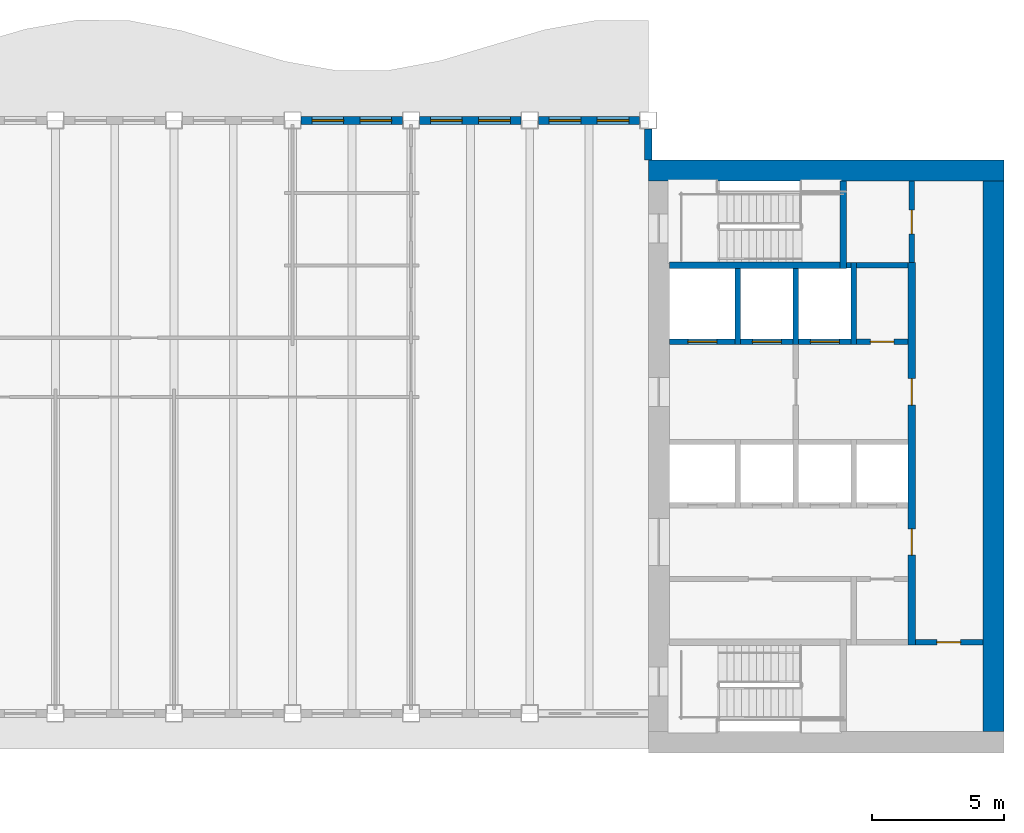
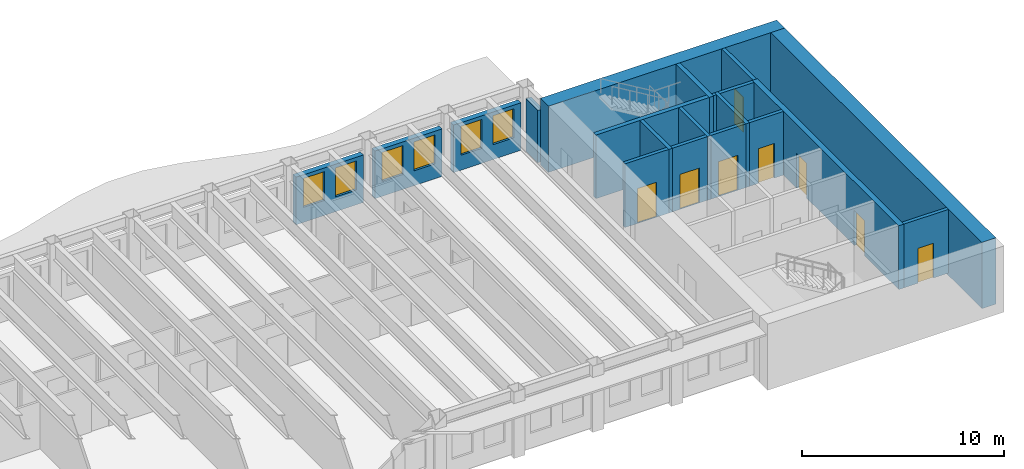
# One storey, part 6 of 12: 20 walls, 8 doors, 6 windows, 14 openings.
"""IFC4 building model written with IfcOpenShell, lengths in metres."""

from ifc_helpers import new_model, si_unit, direction, frame, frame_2d, origin, place, context, subcontext, project, spatial, rectangle, extrude, material, layer, layer_set, type_object, element, fill, save


model = new_model("IFC4")

# Units and contexts
model_context = context("Model", 3, precision=1e-05, world=origin(), true_north=direction((0.0, 1.0)))
body_context = subcontext(model_context, "Body", "Model", "MODEL_VIEW")
ifc_project = project(units=[si_unit("LENGTHUNIT", "METRE"), si_unit("AREAUNIT", "SQUARE_METRE"), si_unit("VOLUMEUNIT", "CUBIC_METRE"), si_unit("PLANEANGLEUNIT", "RADIAN"), si_unit("MASSUNIT", "GRAM", prefix="KILO")], contexts=[model_context])

# Site, building, storey
site_placement = place(None, origin())
site = spatial("IfcSite", under=ifc_project, at=site_placement, CompositionType="ELEMENT")
building_placement = place(site_placement, origin())
building = spatial("IfcBuilding", under=site, at=building_placement, Name="Sennacour Bend Tower", CompositionType="ELEMENT")
storey_placement = place(building_placement, frame((0.0, 0.0, 285.0)))
storey = spatial("IfcBuildingStorey", under=building, at=storey_placement, Name="L66", CompositionType="ELEMENT", Elevation=285.0)

# Walls
ifc_material_1 = material(Name="Concrete C50/60", Category="concrete")
ifc_layer_1 = layer(ifc_material_1, 0.800048828125, Name="Concrete C50/60", Category="concrete")
ifc_layer_set_1 = layer_set([ifc_layer_1], Name="Concrete C50/60")
wall_type_1 = type_object("IfcWallType", Name="Core wall 800 C50/60", PredefinedType="SHEAR", material=ifc_layer_set_1)
wall_1_placement = place(storey_placement, frame((54.0, 22.10009765625, -0.14990234375), z_axis=(0.0, 0.0, 1.0), x_axis=(1.0, 0.0, 0.0)))
element("IfcWall", 1, at=wall_1_placement, inside=storey, type_object=wall_type_1, Name="Core A wall L66 N", PredefinedType="SHEAR", context=body_context, shape_type="SweptSolid", body=[
    extrude(rectangle(XDim=13.5, YDim=0.800048828125, at=frame_2d((6.75, 0.0))), origin(), (0.0, 0.0, 1.0), 4.0),
])
wall_2_placement = place(storey_placement, frame((67.10009765625, 0.800048828125, -0.14990234375), z_axis=(0.0, 0.0, 1.0), x_axis=(0.0, 1.0, 0.0)))
element("IfcWall", 2, at=wall_2_placement, inside=storey, type_object=wall_type_1, Name="Core A wall L66 E", PredefinedType="SHEAR", context=body_context, shape_type="SweptSolid", body=[
    extrude(rectangle(XDim=20.89990234375, YDim=0.800048828125, at=frame_2d((10.449951171875, 0.0))), origin(), (0.0, 0.0, 1.0), 4.0),
])

# Wall, opening, door
ifc_material_2 = material(Name="Fire-rated plasterboard partition on steel studs", Category="steel")
ifc_layer_2 = layer(ifc_material_2, 0.199951171875, Name="Fire-rated plasterboard partition on steel studs", Category="steel")
ifc_layer_set_2 = layer_set([ifc_layer_2], Name="Fire-rated plasterboard partition on steel studs")
wall_type_2 = type_object("IfcWallType", Name="Rated partition 200", PredefinedType="PARTITIONING", material=ifc_layer_set_2)
wall_3_placement = place(storey_placement, frame((64.0, 18.60009765625, 0.0), z_axis=(0.0, 0.0, 1.0), x_axis=(0.0, 1.0, 0.0)))
wall_3 = element("IfcWall", 3, at=wall_3_placement, inside=storey, type_object=wall_type_2, Name="P-L66-W028", PredefinedType="PARTITIONING", context=body_context, shape_type="SweptSolid", body=[
    extrude(rectangle(XDim=3.099853515625, YDim=0.199951171875, at=frame_2d((1.5498046875, 0.0))), origin(), (0.0, 0.0, 1.0), 3.85009765625),
])
opening_1_placement = place(wall_3_placement, frame((1.099853515625, 0.0, 0.0)))
opening_1 = element("IfcOpeningElement", 4, at=opening_1_placement, cuts=wall_3, Name="Opening SV", PredefinedType="OPENING", context=body_context, shape_type="SweptSolid", body=[
    extrude(rectangle(XDim=0.89990234375, YDim=2.10009765625, at=frame_2d((0.449951171875, 1.050048828125))), frame((0.0, 0.10986328125, 0.0), z_axis=(0.0, -1.0, 0.0), x_axis=(1.0, 0.0, 0.0)), (0.0, 0.0, 1.0), 0.219970703125),
])
ifc_material_3 = material(Name="Painted steel", Category="steel")
door_type_1 = type_object("IfcDoorType", Name="DR-SERVICE-900", OperationType="NOTDEFINED", PredefinedType="DOOR", material=ifc_material_3)
door_1_placement = place(opening_1_placement, origin())
door_1 = element("IfcDoor", 5, at=door_1_placement, inside=storey, type_object=door_type_1, Name="Door", OperationType="SINGLE_SWING_LEFT", OverallHeight=2.10009765625, OverallWidth=0.89990234375, PredefinedType="DOOR", context=body_context, shape_type="SweptSolid", body=[
    extrude(rectangle(XDim=0.89990234375, YDim=2.10009765625, at=frame_2d((0.449951171875, 1.050048828125))), frame((0.0, 0.02490234375, 0.0), z_axis=(0.0, -1.0, 0.0), x_axis=(1.0, 0.0, 0.0)), (0.0, 0.0, 1.0), 0.050048828125),
])
fill(opening_1, door_1)

wall_4_placement = place(storey_placement, frame((64.14990234375, 4.199951171875, 0.0), z_axis=(0.0, 0.0, 1.0), x_axis=(1.0, 0.0, 0.0)))
wall_4 = element("IfcWall", 6, at=wall_4_placement, inside=storey, type_object=wall_type_2, Name="P-L66-W036c", PredefinedType="PARTITIONING", context=body_context, shape_type="SweptSolid", body=[
    extrude(rectangle(XDim=2.550048828125, YDim=0.199951171875, at=frame_2d((1.27490234375, 0.0))), origin(), (0.0, 0.0, 1.0), 3.85009765625),
])
opening_2_placement = place(wall_4_placement, frame((0.800048828125, 0.0, 0.0)))
opening_2 = element("IfcOpeningElement", 7, at=opening_2_placement, cuts=wall_4, Name="Opening SV", PredefinedType="OPENING", context=body_context, shape_type="SweptSolid", body=[
    extrude(rectangle(XDim=0.89990234375, YDim=2.10009765625, at=frame_2d((0.449951171875, 1.050048828125))), frame((0.0, 0.10986328125, 0.0), z_axis=(0.0, -1.0, 0.0), x_axis=(1.0, 0.0, 0.0)), (0.0, 0.0, 1.0), 0.219970703125),
])
door_2_placement = place(opening_2_placement, origin())
door_2 = element("IfcDoor", 8, at=door_2_placement, inside=storey, type_object=door_type_1, Name="Door", OperationType="SINGLE_SWING_LEFT", OverallHeight=2.10009765625, OverallWidth=0.89990234375, PredefinedType="DOOR", context=body_context, shape_type="SweptSolid", body=[
    extrude(rectangle(XDim=0.89990234375, YDim=2.10009765625, at=frame_2d((0.449951171875, 1.050048828125))), frame((0.0, 0.02490234375, 0.0), z_axis=(0.0, -1.0, 0.0), x_axis=(1.0, 0.0, 0.0)), (0.0, 0.0, 1.0), 0.050048828125),
])
fill(opening_2, door_2)

wall_5_placement = place(storey_placement, frame((61.89990234375, 15.60009765625, 0.0), z_axis=(0.0, 0.0, 1.0), x_axis=(1.0, 0.0, 0.0)))
wall_5 = element("IfcWall", 9, at=wall_5_placement, inside=storey, type_object=wall_type_2, Name="P-L66-W042", PredefinedType="PARTITIONING", context=body_context, shape_type="SweptSolid", body=[
    extrude(rectangle(XDim=1.9501953125, YDim=0.199951171875, at=frame_2d((0.97509765625, 0.0))), origin(), (0.0, 0.0, 1.0), 3.85009765625),
])
opening_3_placement = place(wall_5_placement, frame((0.525146484375, 0.0, 0.0)))
opening_3 = element("IfcOpeningElement", 10, at=opening_3_placement, cuts=wall_5, Name="Opening SV", PredefinedType="OPENING", context=body_context, shape_type="SweptSolid", body=[
    extrude(rectangle(XDim=0.89990234375, YDim=2.10009765625, at=frame_2d((0.449951171875, 1.050048828125))), frame((0.0, 0.10986328125, 0.0), z_axis=(0.0, -1.0, 0.0), x_axis=(1.0, 0.0, 0.0)), (0.0, 0.0, 1.0), 0.219970703125),
])
door_3_placement = place(opening_3_placement, origin())
door_3 = element("IfcDoor", 11, at=door_3_placement, inside=storey, type_object=door_type_1, Name="Door", OperationType="SINGLE_SWING_LEFT", OverallHeight=2.10009765625, OverallWidth=0.89990234375, PredefinedType="DOOR", context=body_context, shape_type="SweptSolid", body=[
    extrude(rectangle(XDim=0.89990234375, YDim=2.10009765625, at=frame_2d((0.449951171875, 1.050048828125))), frame((0.0, 0.02490234375, 0.0), z_axis=(0.0, -1.0, 0.0), x_axis=(1.0, 0.0, 0.0)), (0.0, 0.0, 1.0), 0.050048828125),
])
fill(opening_3, door_3)

# Walls
wall_6_placement = place(storey_placement, frame((61.89990234375, 18.5, 0.0), z_axis=(0.0, 0.0, 1.0), x_axis=(1.0, 0.0, 0.0)))
element("IfcWall", 12, at=wall_6_placement, inside=storey, type_object=wall_type_2, Name="P-L66-W047", PredefinedType="PARTITIONING", context=body_context, shape_type="SweptSolid", body=[
    extrude(rectangle(XDim=1.9501953125, YDim=0.199951171875, at=frame_2d((0.97509765625, 0.0))), origin(), (0.0, 0.0, 1.0), 3.85009765625),
])
ifc_material_4 = material(Name="Warm limestone cladding", Category="masonry")
ifc_layer_3 = layer(ifc_material_4, 0.050048828125, Name="Warm limestone cladding", Category="masonry")
ifc_material_5 = material(Name="Precast concrete C40/50", Category="concrete")
ifc_layer_4 = layer(ifc_material_5, 0.25, Name="Precast concrete C40/50", Category="concrete")
ifc_layer_set_3 = layer_set([ifc_layer_3, ifc_layer_4], Name="Precast concrete C40/50 with limestone cladding")
wall_type_3 = type_object("IfcWallType", Name="STONE-CLAD PRECAST SPANDREL 300", PredefinedType="STANDARD", material=ifc_layer_set_3)
wall_7_placement = place(storey_placement, frame((54.0, 22.5, 0.0), z_axis=(0.0, 0.0, 1.0), x_axis=(0.0, 1.0, 0.0)))
element("IfcWall", 13, at=wall_7_placement, inside=storey, type_object=wall_type_3, Name="Stone spandrel and pier wall L66 06.00", PredefinedType="STANDARD", context=body_context, shape_type="SweptSolid", body=[
    extrude(rectangle(XDim=1.175048828125, YDim=0.300048828125, at=frame_2d((0.58740234375, 0.0))), origin(), (0.0, 0.0, 1.0), 3.162109375),
])

# Wall, openings, windows
wall_8_placement = place(storey_placement, frame((53.675048828125, 24.0, 0.0), z_axis=(0.0, 0.0, 1.0), x_axis=(-1.0, 0.0, 0.0)))
wall_8 = element("IfcWall", 14, at=wall_8_placement, inside=storey, type_object=wall_type_3, Name="Stone spandrel and pier wall L66 07.00", PredefinedType="STANDARD", context=body_context, shape_type="SweptSolid", body=[
    extrude(rectangle(XDim=3.85009765625, YDim=0.300048828125, at=frame_2d((1.925048828125, 0.0))), origin(), (0.0, 0.0, 1.0), 2.8701171875),
])
opening_4_placement = place(wall_8_placement, frame((0.41259765625, 0.0, 0.89990234375)))
opening_4 = element("IfcOpeningElement", 15, at=opening_4_placement, cuts=wall_8, Name="Opening W16", PredefinedType="OPENING", context=body_context, shape_type="SweptSolid", body=[
    extrude(rectangle(XDim=1.199951171875, YDim=1.75, at=frame_2d((0.60009765625, 0.875))), frame((0.0, 0.16015625, 0.0), z_axis=(0.0, -1.0, 0.0), x_axis=(1.0, 0.0, 0.0)), (0.0, 0.0, 1.0), 0.320068359375),
])
opening_5_placement = place(wall_8_placement, frame((2.237548828125, 0.0, 0.89990234375)))
opening_5 = element("IfcOpeningElement", 16, at=opening_5_placement, cuts=wall_8, Name="Opening W16", PredefinedType="OPENING", context=body_context, shape_type="SweptSolid", body=[
    extrude(rectangle(XDim=1.199951171875, YDim=1.75, at=frame_2d((0.60009765625, 0.875))), frame((0.0, 0.16015625, 0.0), z_axis=(0.0, -1.0, 0.0), x_axis=(1.0, 0.0, 0.0)), (0.0, 0.0, 1.0), 0.320068359375),
])
ifc_material_6 = material(Name="Clear low-emissivity glass", Category="glass")
window_type = type_object("IfcWindowType", Name="WIN-RIBBON-1200x1750", PartitioningType="SINGLE_PANEL", PredefinedType="WINDOW", material=ifc_material_6)
window_1_placement = place(opening_4_placement, origin())
window_1 = element("IfcWindow", 17, at=window_1_placement, inside=storey, type_object=window_type, Name="Ribbon window L66 07.00.0", OverallHeight=1.75, OverallWidth=1.199951171875, PartitioningType="SINGLE_PANEL", PredefinedType="WINDOW", context=body_context, shape_type="SweptSolid", body=[
    extrude(rectangle(XDim=1.199951171875, YDim=1.75, at=frame_2d((0.60009765625, 0.875))), frame((0.0, 0.030029296875, 0.0), z_axis=(0.0, -1.0, 0.0), x_axis=(1.0, 0.0, 0.0)), (0.0, 0.0, 1.0), 0.06005859375),
])
fill(opening_4, window_1)
window_2_placement = place(opening_5_placement, origin())
window_2 = element("IfcWindow", 18, at=window_2_placement, inside=storey, type_object=window_type, Name="Ribbon window L66 07.00.1", OverallHeight=1.75, OverallWidth=1.199951171875, PartitioningType="SINGLE_PANEL", PredefinedType="WINDOW", context=body_context, shape_type="SweptSolid", body=[
    extrude(rectangle(XDim=1.199951171875, YDim=1.75, at=frame_2d((0.60009765625, 0.875))), frame((0.0, 0.030029296875, 0.0), z_axis=(0.0, -1.0, 0.0), x_axis=(1.0, 0.0, 0.0)), (0.0, 0.0, 1.0), 0.06005859375),
])
fill(opening_5, window_2)

wall_9_placement = place(storey_placement, frame((49.175048828125, 24.0, 0.0), z_axis=(0.0, 0.0, 1.0), x_axis=(-1.0, 0.0, 0.0)))
wall_9 = element("IfcWall", 19, at=wall_9_placement, inside=storey, type_object=wall_type_3, Name="Stone spandrel and pier wall L66 07.01", PredefinedType="STANDARD", context=body_context, shape_type="SweptSolid", body=[
    extrude(rectangle(XDim=3.85009765625, YDim=0.300048828125, at=frame_2d((1.925048828125, 0.0))), origin(), (0.0, 0.0, 1.0), 2.8701171875),
])
opening_6_placement = place(wall_9_placement, frame((0.41259765625, 0.0, 0.89990234375)))
opening_6 = element("IfcOpeningElement", 20, at=opening_6_placement, cuts=wall_9, Name="Opening W16", PredefinedType="OPENING", context=body_context, shape_type="SweptSolid", body=[
    extrude(rectangle(XDim=1.199951171875, YDim=1.75, at=frame_2d((0.60009765625, 0.875))), frame((0.0, 0.16015625, 0.0), z_axis=(0.0, -1.0, 0.0), x_axis=(1.0, 0.0, 0.0)), (0.0, 0.0, 1.0), 0.320068359375),
])
opening_7_placement = place(wall_9_placement, frame((2.237548828125, 0.0, 0.89990234375)))
opening_7 = element("IfcOpeningElement", 21, at=opening_7_placement, cuts=wall_9, Name="Opening W16", PredefinedType="OPENING", context=body_context, shape_type="SweptSolid", body=[
    extrude(rectangle(XDim=1.199951171875, YDim=1.75, at=frame_2d((0.60009765625, 0.875))), frame((0.0, 0.16015625, 0.0), z_axis=(0.0, -1.0, 0.0), x_axis=(1.0, 0.0, 0.0)), (0.0, 0.0, 1.0), 0.320068359375),
])
window_3_placement = place(opening_6_placement, origin())
window_3 = element("IfcWindow", 22, at=window_3_placement, inside=storey, type_object=window_type, Name="Ribbon window L66 07.01.0", OverallHeight=1.75, OverallWidth=1.199951171875, PartitioningType="SINGLE_PANEL", PredefinedType="WINDOW", context=body_context, shape_type="SweptSolid", body=[
    extrude(rectangle(XDim=1.199951171875, YDim=1.75, at=frame_2d((0.60009765625, 0.875))), frame((0.0, 0.030029296875, 0.0), z_axis=(0.0, -1.0, 0.0), x_axis=(1.0, 0.0, 0.0)), (0.0, 0.0, 1.0), 0.06005859375),
])
fill(opening_6, window_3)
window_4_placement = place(opening_7_placement, origin())
window_4 = element("IfcWindow", 23, at=window_4_placement, inside=storey, type_object=window_type, Name="Ribbon window L66 07.01.1", OverallHeight=1.75, OverallWidth=1.199951171875, PartitioningType="SINGLE_PANEL", PredefinedType="WINDOW", context=body_context, shape_type="SweptSolid", body=[
    extrude(rectangle(XDim=1.199951171875, YDim=1.75, at=frame_2d((0.60009765625, 0.875))), frame((0.0, 0.030029296875, 0.0), z_axis=(0.0, -1.0, 0.0), x_axis=(1.0, 0.0, 0.0)), (0.0, 0.0, 1.0), 0.06005859375),
])
fill(opening_7, window_4)

wall_10_placement = place(storey_placement, frame((44.675048828125, 24.0, 0.0), z_axis=(0.0, 0.0, 1.0), x_axis=(-1.0, 0.0, 0.0)))
wall_10 = element("IfcWall", 24, at=wall_10_placement, inside=storey, type_object=wall_type_3, Name="Stone spandrel and pier wall L66 07.02", PredefinedType="STANDARD", context=body_context, shape_type="SweptSolid", body=[
    extrude(rectangle(XDim=3.85009765625, YDim=0.300048828125, at=frame_2d((1.925048828125, 0.0))), origin(), (0.0, 0.0, 1.0), 2.8701171875),
])
opening_8_placement = place(wall_10_placement, frame((0.41259765625, 0.0, 0.89990234375)))
opening_8 = element("IfcOpeningElement", 25, at=opening_8_placement, cuts=wall_10, Name="Opening W16", PredefinedType="OPENING", context=body_context, shape_type="SweptSolid", body=[
    extrude(rectangle(XDim=1.199951171875, YDim=1.75, at=frame_2d((0.60009765625, 0.875))), frame((0.0, 0.16015625, 0.0), z_axis=(0.0, -1.0, 0.0), x_axis=(1.0, 0.0, 0.0)), (0.0, 0.0, 1.0), 0.320068359375),
])
opening_9_placement = place(wall_10_placement, frame((2.237548828125, 0.0, 0.89990234375)))
opening_9 = element("IfcOpeningElement", 26, at=opening_9_placement, cuts=wall_10, Name="Opening W16", PredefinedType="OPENING", context=body_context, shape_type="SweptSolid", body=[
    extrude(rectangle(XDim=1.199951171875, YDim=1.75, at=frame_2d((0.60009765625, 0.875))), frame((0.0, 0.16015625, 0.0), z_axis=(0.0, -1.0, 0.0), x_axis=(1.0, 0.0, 0.0)), (0.0, 0.0, 1.0), 0.320068359375),
])
window_5_placement = place(opening_8_placement, origin())
window_5 = element("IfcWindow", 27, at=window_5_placement, inside=storey, type_object=window_type, Name="Ribbon window L66 07.02.0", OverallHeight=1.75, OverallWidth=1.199951171875, PartitioningType="SINGLE_PANEL", PredefinedType="WINDOW", context=body_context, shape_type="SweptSolid", body=[
    extrude(rectangle(XDim=1.199951171875, YDim=1.75, at=frame_2d((0.60009765625, 0.875))), frame((0.0, 0.030029296875, 0.0), z_axis=(0.0, -1.0, 0.0), x_axis=(1.0, 0.0, 0.0)), (0.0, 0.0, 1.0), 0.06005859375),
])
fill(opening_8, window_5)
window_6_placement = place(opening_9_placement, origin())
window_6 = element("IfcWindow", 28, at=window_6_placement, inside=storey, type_object=window_type, Name="Ribbon window L66 07.02.1", OverallHeight=1.75, OverallWidth=1.199951171875, PartitioningType="SINGLE_PANEL", PredefinedType="WINDOW", context=body_context, shape_type="SweptSolid", body=[
    extrude(rectangle(XDim=1.199951171875, YDim=1.75, at=frame_2d((0.60009765625, 0.875))), frame((0.0, 0.030029296875, 0.0), z_axis=(0.0, -1.0, 0.0), x_axis=(1.0, 0.0, 0.0)), (0.0, 0.0, 1.0), 0.06005859375),
])
fill(opening_9, window_6)

# Walls
ifc_layer_5 = layer(ifc_material_1, 0.199951171875, Name="Concrete C50/60", Category="concrete")
ifc_layer_set_4 = layer_set([ifc_layer_5], Name="Concrete C50/60")
wall_type_4 = type_object("IfcWallType", Name="Shaft wall 200", PredefinedType="SOLIDWALL", material=ifc_layer_set_4)
for number, where, z_axis, x_axis, name in (
    (29, (57.39990234375, 15.5, 0.0), (0.0, 0.0, 1.0), (0.0, 1.0, 0.0), "P-L66-W018"),
    (30, (59.60009765625, 15.5, 0.0), (0.0, 0.0, 1.0), (0.0, 1.0, 0.0), "P-L66-W021"),
):
    element("IfcWall", number, at=place(storey_placement, frame(where, z_axis=z_axis, x_axis=x_axis)), inside=storey, type_object=wall_type_4, Name=name, PredefinedType="SOLIDWALL", context=body_context, shape_type="SweptSolid", body=[
        extrude(rectangle(XDim=2.875, YDim=0.199951171875, at=frame_2d((1.4375, 0.0))), origin(), (0.0, 0.0, 1.0), 3.85009765625),
    ])
wall_11_placement = place(storey_placement, frame((61.800048828125, 15.5, 0.0), z_axis=(0.0, 0.0, 1.0), x_axis=(0.0, 1.0, 0.0)))
element("IfcWall", 31, at=wall_11_placement, inside=storey, type_object=wall_type_4, Name="P-L66-W026", PredefinedType="SOLIDWALL", context=body_context, shape_type="SweptSolid", body=[
    extrude(rectangle(XDim=3.10009765625, YDim=0.199951171875, at=frame_2d((1.550048828125, 0.0))), origin(), (0.0, 0.0, 1.0), 3.85009765625),
])

# Wall, opening, door
wall_12_placement = place(storey_placement, frame((54.800048828125, 15.60009765625, 0.0), z_axis=(0.0, 0.0, 1.0), x_axis=(1.0, 0.0, 0.0)))
wall_12 = element("IfcWall", 32, at=wall_12_placement, inside=storey, type_object=wall_type_4, Name="P-L66-W041a", PredefinedType="SOLIDWALL", context=body_context, shape_type="SweptSolid", body=[
    extrude(rectangle(XDim=2.5, YDim=0.199951171875, at=frame_2d((1.25, 0.0))), origin(), (0.0, 0.0, 1.0), 3.85009765625),
])
opening_10_placement = place(wall_12_placement, frame((0.699951171875, 0.0, 0.011962890625)))
opening_10 = element("IfcOpeningElement", 33, at=opening_10_placement, cuts=wall_12, Name="Opening FLD", PredefinedType="OPENING", context=body_context, shape_type="SweptSolid", body=[
    extrude(rectangle(XDim=1.10009765625, YDim=2.10009765625, at=frame_2d((0.550048828125, 1.050048828125))), frame((0.0, 0.10986328125, 0.0), z_axis=(0.0, -1.0, 0.0), x_axis=(1.0, 0.0, 0.0)), (0.0, 0.0, 1.0), 0.219970703125),
])
ifc_material_7 = material(Name="Stainless steel", Category="steel")
door_type_2 = type_object("IfcDoorType", Name="DR-FF-LANDING-1100", OperationType="NOTDEFINED", PredefinedType="DOOR", material=ifc_material_7)
door_4_placement = place(opening_10_placement, origin())
door_4 = element("IfcDoor", 34, at=door_4_placement, inside=storey, type_object=door_type_2, Name="Fire service lift landing door FA1", OperationType="SLIDING_TO_LEFT", OverallHeight=2.10009765625, OverallWidth=1.10009765625, PredefinedType="DOOR", context=body_context, shape_type="SweptSolid", body=[
    extrude(rectangle(XDim=1.10009765625, YDim=2.10009765625, at=frame_2d((0.550048828125, 1.050048828125))), frame((0.0, 0.02490234375, 0.0), z_axis=(0.0, -1.0, 0.0), x_axis=(1.0, 0.0, 0.0)), (0.0, 0.0, 1.0), 0.050048828125),
])
fill(opening_10, door_4)

wall_13_placement = place(storey_placement, frame((57.5, 15.60009765625, 0.0), z_axis=(0.0, 0.0, 1.0), x_axis=(1.0, 0.0, 0.0)))
wall_13 = element("IfcWall", 35, at=wall_13_placement, inside=storey, type_object=wall_type_4, Name="P-L66-W041b", PredefinedType="SOLIDWALL", context=body_context, shape_type="SweptSolid", body=[
    extrude(rectangle(XDim=2.0, YDim=0.199951171875, at=frame_2d((1.0, 0.0))), origin(), (0.0, 0.0, 1.0), 3.85009765625),
])
opening_11_placement = place(wall_13_placement, frame((0.449951171875, 0.0, 0.011962890625)))
opening_11 = element("IfcOpeningElement", 36, at=opening_11_placement, cuts=wall_13, Name="Opening FLD", PredefinedType="OPENING", context=body_context, shape_type="SweptSolid", body=[
    extrude(rectangle(XDim=1.10009765625, YDim=2.10009765625, at=frame_2d((0.550048828125, 1.050048828125))), frame((0.0, 0.10986328125, 0.0), z_axis=(0.0, -1.0, 0.0), x_axis=(1.0, 0.0, 0.0)), (0.0, 0.0, 1.0), 0.219970703125),
])
door_5_placement = place(opening_11_placement, origin())
door_5 = element("IfcDoor", 37, at=door_5_placement, inside=storey, type_object=door_type_2, Name="Fire service lift landing door FA2", OperationType="SLIDING_TO_RIGHT", OverallHeight=2.10009765625, OverallWidth=1.10009765625, PredefinedType="DOOR", context=body_context, shape_type="SweptSolid", body=[
    extrude(rectangle(XDim=1.10009765625, YDim=2.10009765625, at=frame_2d((0.550048828125, 1.050048828125))), frame((0.0, 0.02490234375, 0.0), z_axis=(0.0, -1.0, 0.0), x_axis=(1.0, 0.0, 0.0)), (0.0, 0.0, 1.0), 0.050048828125),
])
fill(opening_11, door_5)

wall_14_placement = place(storey_placement, frame((59.699951171875, 15.60009765625, 0.0), z_axis=(0.0, 0.0, 1.0), x_axis=(1.0, 0.0, 0.0)))
wall_14 = element("IfcWall", 38, at=wall_14_placement, inside=storey, type_object=wall_type_4, Name="P-L66-W041c", PredefinedType="SOLIDWALL", context=body_context, shape_type="SweptSolid", body=[
    extrude(rectangle(XDim=2.0, YDim=0.199951171875, at=frame_2d((1.0, 0.0))), origin(), (0.0, 0.0, 1.0), 3.85009765625),
])
opening_12_placement = place(wall_14_placement, frame((0.449951171875, 0.0, 0.011962890625)))
opening_12 = element("IfcOpeningElement", 39, at=opening_12_placement, cuts=wall_14, Name="Opening LD", PredefinedType="OPENING", context=body_context, shape_type="SweptSolid", body=[
    extrude(rectangle(XDim=1.10009765625, YDim=2.10009765625, at=frame_2d((0.550048828125, 1.050048828125))), frame((0.0, 0.10986328125, 0.0), z_axis=(0.0, -1.0, 0.0), x_axis=(1.0, 0.0, 0.0)), (0.0, 0.0, 1.0), 0.219970703125),
])
door_type_3 = type_object("IfcDoorType", Name="DR-LANDING-1100", OperationType="NOTDEFINED", PredefinedType="DOOR", material=ifc_material_7)
door_6_placement = place(opening_12_placement, origin())
door_6 = element("IfcDoor", 40, at=door_6_placement, inside=storey, type_object=door_type_3, Name="Lift landing door HA5", OperationType="SLIDING_TO_LEFT", OverallHeight=2.10009765625, OverallWidth=1.10009765625, PredefinedType="DOOR", context=body_context, shape_type="SweptSolid", body=[
    extrude(rectangle(XDim=1.10009765625, YDim=2.10009765625, at=frame_2d((0.550048828125, 1.050048828125))), frame((0.0, 0.02490234375, 0.0), z_axis=(0.0, -1.0, 0.0), x_axis=(1.0, 0.0, 0.0)), (0.0, 0.0, 1.0), 0.050048828125),
])
fill(opening_12, door_6)

# Wall
wall_15_placement = place(storey_placement, frame((61.52490234375, 18.5, 0.0), z_axis=(0.0, 0.0, 1.0), x_axis=(1.0, 0.0, 0.0)))
element("IfcWall", 41, at=wall_15_placement, inside=storey, type_object=wall_type_4, Name="P-L66-W046", PredefinedType="SOLIDWALL", context=body_context, shape_type="SweptSolid", body=[
    extrude(rectangle(XDim=0.175048828125, YDim=0.199951171875, at=frame_2d((0.08740234375, 0.0))), origin(), (0.0, 0.0, 1.0), 3.85009765625),
])

# Wall, openings, doors
ifc_material_8 = material(Name="Concrete C60/75", Category="concrete")
ifc_layer_6 = layer(ifc_material_8, 0.300048828125, Name="Concrete C60/75", Category="concrete")
ifc_layer_set_5 = layer_set([ifc_layer_6], Name="Concrete C60/75")
wall_type_5 = type_object("IfcWallType", Name="Spine wall 300", PredefinedType="SHEAR", material=ifc_layer_set_5)
wall_16_placement = place(storey_placement, frame((64.0, 4.10009765625, 0.0), z_axis=(0.0, 0.0, 1.0), x_axis=(0.0, 1.0, 0.0)))
wall_16 = element("IfcWall", 42, at=wall_16_placement, inside=storey, type_object=wall_type_5, Name="P-L66-W027", PredefinedType="SHEAR", context=body_context, shape_type="SweptSolid", body=[
    extrude(rectangle(XDim=14.5, YDim=0.300048828125, at=frame_2d((7.25, 0.0))), origin(), (0.0, 0.0, 1.0), 3.85009765625),
])
opening_13_placement = place(wall_16_placement, frame((3.39990234375, 0.0, 0.0)))
opening_13 = element("IfcOpeningElement", 43, at=opening_13_placement, cuts=wall_16, Name="Opening CD2", PredefinedType="OPENING", context=body_context, shape_type="SweptSolid", body=[
    extrude(rectangle(XDim=1.0, YDim=2.10009765625, at=frame_2d((0.5, 1.050048828125))), frame((0.0, 0.16015625, 0.0), z_axis=(0.0, -1.0, 0.0), x_axis=(1.0, 0.0, 0.0)), (0.0, 0.0, 1.0), 0.320068359375),
])
opening_14_placement = place(wall_16_placement, frame((9.099853515625, 0.0, 0.0)))
opening_14 = element("IfcOpeningElement", 44, at=opening_14_placement, cuts=wall_16, Name="Opening CD2", PredefinedType="OPENING", context=body_context, shape_type="SweptSolid", body=[
    extrude(rectangle(XDim=1.0, YDim=2.10009765625, at=frame_2d((0.5, 1.050048828125))), frame((0.0, 0.16015625, 0.0), z_axis=(0.0, -1.0, 0.0), x_axis=(1.0, 0.0, 0.0)), (0.0, 0.0, 1.0), 0.320068359375),
])
door_type_4 = type_object("IfcDoorType", Name="DR-LOBBY-1000", OperationType="NOTDEFINED", PredefinedType="DOOR", material=ifc_material_3)
door_7_placement = place(opening_13_placement, origin())
door_7 = element("IfcDoor", 45, at=door_7_placement, inside=storey, type_object=door_type_4, Name="Door", OperationType="SINGLE_SWING_LEFT", OverallHeight=2.10009765625, OverallWidth=1.0, PredefinedType="DOOR", context=body_context, shape_type="SweptSolid", body=[
    extrude(rectangle(XDim=1.0, YDim=2.10009765625, at=frame_2d((0.5, 1.050048828125))), frame((0.0, 0.02490234375, 0.0), z_axis=(0.0, -1.0, 0.0), x_axis=(1.0, 0.0, 0.0)), (0.0, 0.0, 1.0), 0.050048828125),
])
fill(opening_13, door_7)
door_8_placement = place(opening_14_placement, origin())
door_8 = element("IfcDoor", 46, at=door_8_placement, inside=storey, type_object=door_type_4, Name="Door", OperationType="SINGLE_SWING_RIGHT", OverallHeight=2.10009765625, OverallWidth=1.0, PredefinedType="DOOR", context=body_context, shape_type="SweptSolid", body=[
    extrude(rectangle(XDim=1.0, YDim=2.10009765625, at=frame_2d((0.5, 1.050048828125))), frame((0.0, 0.02490234375, 0.0), z_axis=(0.0, -1.0, 0.0), x_axis=(1.0, 0.0, 0.0)), (0.0, 0.0, 1.0), 0.050048828125),
])
fill(opening_14, door_8)

# Walls
ifc_layer_7 = layer(ifc_material_8, 0.25, Name="Concrete C60/75", Category="concrete")
ifc_layer_set_6 = layer_set([ifc_layer_7], Name="Concrete C60/75")
wall_type_6 = type_object("IfcWallType", Name="Stair wall 250", PredefinedType="SHEAR", material=ifc_layer_set_6)
wall_17_placement = place(storey_placement, frame((61.39990234375, 18.375, 0.0), z_axis=(0.0, 0.0, 1.0), x_axis=(0.0, 1.0, 0.0)))
element("IfcWall", 47, at=wall_17_placement, inside=storey, type_object=wall_type_6, Name="P-L66-W023", PredefinedType="SHEAR", context=body_context, shape_type="SweptSolid", body=[
    extrude(rectangle(XDim=3.324951171875, YDim=0.25, at=frame_2d((1.66259765625, 0.0))), origin(), (0.0, 0.0, 1.0), 3.85009765625),
])
wall_18_placement = place(storey_placement, frame((54.800048828125, 18.5, 0.0), z_axis=(0.0, 0.0, 1.0), x_axis=(1.0, 0.0, 0.0)))
element("IfcWall", 48, at=wall_18_placement, inside=storey, type_object=wall_type_6, Name="P-L66-W045", PredefinedType="SHEAR", context=body_context, shape_type="SweptSolid", body=[
    extrude(rectangle(XDim=6.474853515625, YDim=0.25, at=frame_2d((3.2373046875, 0.0))), origin(), (0.0, 0.0, 1.0), 3.85009765625),
])

save(model, "model.ifc")
